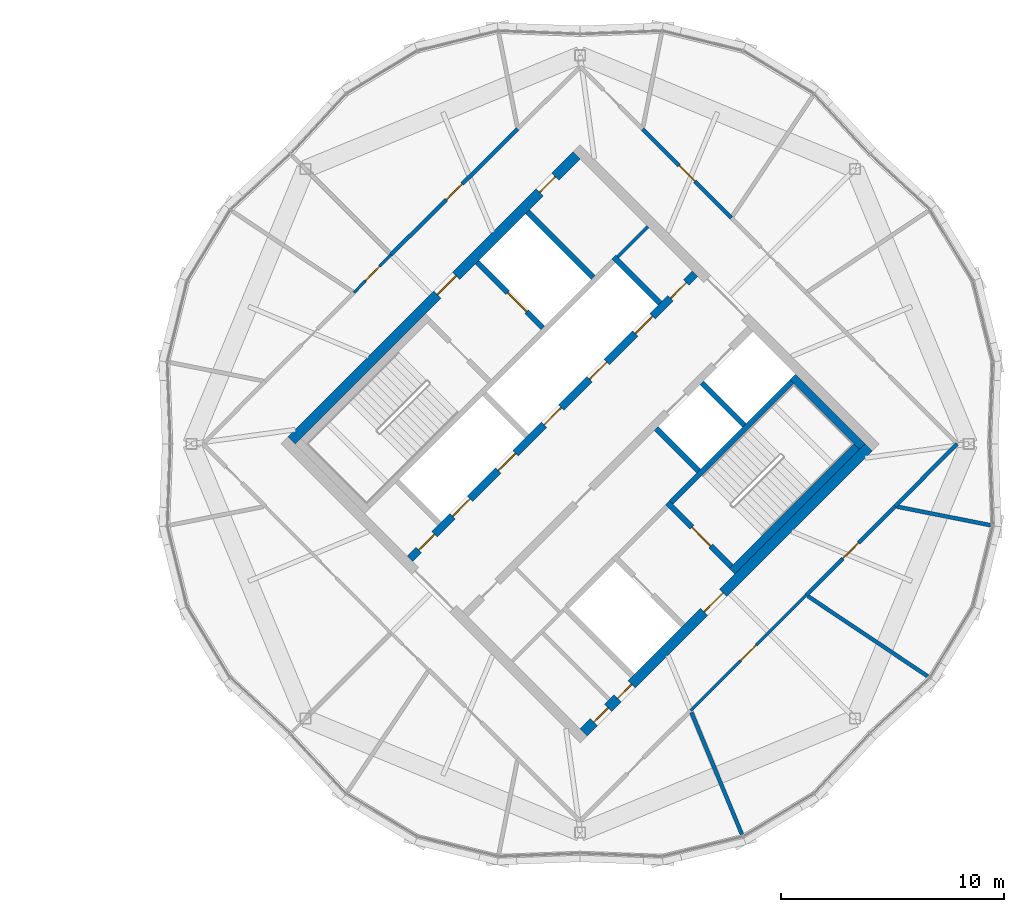
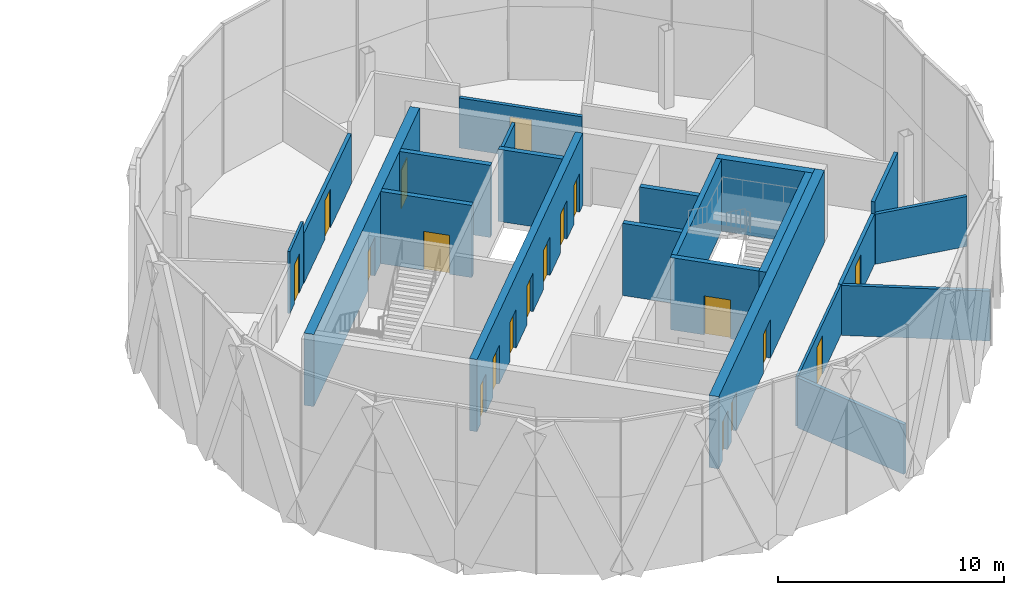
# One storey, part 18 of 22: 22 walls, 19 doors, 19 openings.
"""IFC4 building model written with IfcOpenShell, lengths in metres."""

from ifc_helpers import new_model, si_unit, direction, frame, frame_2d, origin, place, context, subcontext, project, spatial, rectangle, extrude, material, layer, layer_set, type_object, element, fill, save


model = new_model("IFC4")

# Units and contexts
model_context = context("Model", 3, precision=1e-05, world=origin(), true_north=direction((0.0, 1.0)))
body_context = subcontext(model_context, "Body", "Model", "MODEL_VIEW")
ifc_project = project(units=[si_unit("LENGTHUNIT", "METRE"), si_unit("AREAUNIT", "SQUARE_METRE"), si_unit("VOLUMEUNIT", "CUBIC_METRE"), si_unit("PLANEANGLEUNIT", "RADIAN"), si_unit("MASSUNIT", "GRAM", prefix="KILO")], contexts=[model_context])

# Site, building, storey
site_placement = place(None, origin())
site = spatial("IfcSite", under=ifc_project, at=site_placement, CompositionType="ELEMENT")
building_placement = place(site_placement, origin())
building = spatial("IfcBuilding", under=site, at=building_placement, Name="Ogive Gate Towers", CompositionType="ELEMENT")
storey_placement = place(building_placement, frame((0.0, 0.0, 285.60009765625)))
storey = spatial("IfcBuildingStorey", under=building, at=storey_placement, Name="L67", CompositionType="ELEMENT", Elevation=285.60009765625)

# Walls
ifc_material_1 = material(Name="Gypsum board acoustic partition")
ifc_layer_1 = layer(ifc_material_1, 0.175048828125)
ifc_layer_set_1 = layer_set([ifc_layer_1], Name="Acoustic partition 175")
wall_type_1 = type_object("IfcWallType", Name="Acoustic partition 175", PredefinedType="PARTITIONING", material=ifc_layer_set_1)
wall_1_placement = place(storey_placement, frame((43.27099609375, -17.553955078125, 0.0), z_axis=(0.0, 0.0, 1.0), x_axis=(-0.382677198597, 0.923882114598, 0.0)))
element("IfcWall", 1, at=wall_1_placement, inside=storey, type_object=wall_type_1, Name="Partition T2-L67-012", PredefinedType="PARTITIONING", context=body_context, shape_type="SweptSolid", body=[
    extrude(rectangle(XDim=5.94140625, YDim=0.175048828125, at=frame_2d((2.970703125, 0.0))), origin(), (0.0, 0.0, 1.0), 2.699951171875),
])
wall_2_placement = place(storey_placement, frame((51.697509765625, -10.5, 0.0), z_axis=(0.0, 0.0, 1.0), x_axis=(-0.831198479299, 0.555975798045, 0.0)))
element("IfcWall", 2, at=wall_2_placement, inside=storey, type_object=wall_type_1, Name="Partition T2-L67-013", PredefinedType="PARTITIONING", context=body_context, shape_type="SweptSolid", body=[
    extrude(rectangle(XDim=6.57763671875, YDim=0.175048828125, at=frame_2d((3.288818359375, 0.0))), origin(), (0.0, 0.0, 1.0), 2.699951171875),
])
wall_3_placement = place(storey_placement, frame((54.440185546875, -3.658203125, 0.0), z_axis=(0.0, 0.0, 1.0), x_axis=(-0.980890149708, 0.194562365851, 0.0)))
element("IfcWall", 3, at=wall_3_placement, inside=storey, type_object=wall_type_1, Name="Partition T2-L67-014", PredefinedType="PARTITIONING", context=body_context, shape_type="SweptSolid", body=[
    extrude(rectangle(XDim=4.29150390625, YDim=0.175048828125, at=frame_2d((2.145751953125, 0.0))), origin(), (0.0, 0.0, 1.0), 2.699951171875),
])

# Wall, opening, door
wall_4_placement = place(storey_placement, frame((46.15771484375, -6.79443359375, 0.0), z_axis=(0.0, 0.0, 1.0), x_axis=(0.70699854338, 0.707215002428, 0.0)))
wall_4 = element("IfcWall", 4, at=wall_4_placement, inside=storey, type_object=wall_type_1, Name="Partition T2-L67-016", PredefinedType="PARTITIONING", context=body_context, shape_type="SweptSolid", body=[
    extrude(rectangle(XDim=5.639404296875, YDim=0.175048828125, at=frame_2d((2.81982421875, 0.0))), origin(), (0.0, 0.0, 1.0), 2.699951171875),
])
opening_1_placement = place(wall_4_placement, frame((2.320068359375, 0.0, 0.0)))
opening_1 = element("IfcOpeningElement", 5, at=opening_1_placement, cuts=wall_4, Name="Opening T2-L67-D02", PredefinedType="OPENING", context=body_context, shape_type="SweptSolid", body=[
    extrude(rectangle(XDim=1.0, YDim=2.10009765625, at=frame_2d((0.5, 1.050048828125))), frame((0.0, 0.09765625, 0.0), z_axis=(0.0, -1.0, 0.0), x_axis=(1.0, 0.0, 0.0)), (0.0, 0.0, 1.0), 0.195068359375),
])
ifc_material_2 = material(Name="Timber door", Category="wood")
door_type_1 = type_object("IfcDoorType", Name="Door 1000", OperationType="NOTDEFINED", PredefinedType="DOOR", material=ifc_material_2)
door_1_placement = place(opening_1_placement, origin())
door_1 = element("IfcDoor", 6, at=door_1_placement, inside=storey, type_object=door_type_1, Name="Door T2-L67-D02", OperationType="SINGLE_SWING_RIGHT", OverallHeight=2.10009765625, OverallWidth=1.0, PredefinedType="DOOR", context=body_context, shape_type="SweptSolid", body=[
    extrude(rectangle(XDim=1.0, YDim=2.10009765625, at=frame_2d((0.5, 1.050048828125))), frame((0.0, 0.02490234375, 0.0), z_axis=(0.0, -1.0, 0.0), x_axis=(1.0, 0.0, 0.0)), (0.0, 0.0, 1.0), 0.050048828125),
])
fill(opening_1, door_1)

# Wall
wall_5_placement = place(storey_placement, frame((50.144775390625, -2.80615234375, 0.0), z_axis=(0.0, 0.0, 1.0), x_axis=(0.706027724956, 0.708184193267, 0.0)))
element("IfcWall", 7, at=wall_5_placement, inside=storey, type_object=wall_type_1, Name="Partition T2-L67-018", PredefinedType="PARTITIONING", context=body_context, shape_type="SweptSolid", body=[
    extrude(rectangle(XDim=3.96240234375, YDim=0.175048828125, at=frame_2d((1.981201171875, 0.0))), origin(), (0.0, 0.0, 1.0), 3.349853515625),
])

# Wall, opening, door
wall_6_placement = place(storey_placement, frame((42.79443359375, 10.15771484375, 0.0), z_axis=(0.0, 0.0, 1.0), x_axis=(-0.707215002428, 0.70699854338, 0.0)))
wall_6 = element("IfcWall", 8, at=wall_6_placement, inside=storey, type_object=wall_type_1, Name="Partition T2-L67-020", PredefinedType="PARTITIONING", context=body_context, shape_type="SweptSolid", body=[
    extrude(rectangle(XDim=5.639404296875, YDim=0.175048828125, at=frame_2d((2.81982421875, 0.0))), origin(), (0.0, 0.0, 1.0), 2.699951171875),
])
opening_2_placement = place(wall_6_placement, frame((2.320068359375, 0.0, 0.0)))
opening_2 = element("IfcOpeningElement", 9, at=opening_2_placement, cuts=wall_6, Name="Opening T2-L67-D05", PredefinedType="OPENING", context=body_context, shape_type="SweptSolid", body=[
    extrude(rectangle(XDim=1.0, YDim=2.10009765625, at=frame_2d((0.5, 1.050048828125))), frame((0.0, 0.09765625, 0.0), z_axis=(0.0, -1.0, 0.0), x_axis=(1.0, 0.0, 0.0)), (0.0, 0.0, 1.0), 0.195068359375),
])
door_2_placement = place(opening_2_placement, origin())
door_2 = element("IfcDoor", 10, at=door_2_placement, inside=storey, type_object=door_type_1, Name="Door T2-L67-D05", OperationType="SINGLE_SWING_RIGHT", OverallHeight=2.10009765625, OverallWidth=1.0, PredefinedType="DOOR", context=body_context, shape_type="SweptSolid", body=[
    extrude(rectangle(XDim=1.0, YDim=2.10009765625, at=frame_2d((0.5, 1.050048828125))), frame((0.0, 0.02490234375, 0.0), z_axis=(0.0, -1.0, 0.0), x_axis=(1.0, 0.0, 0.0)), (0.0, 0.0, 1.0), 0.050048828125),
])
fill(opening_2, door_2)

wall_7_placement = place(storey_placement, frame((33.19384765625, 14.144775390625, 0.0), z_axis=(0.0, 0.0, 1.0), x_axis=(-0.710099769326, -0.704101070588, 0.0)))
wall_7 = element("IfcWall", 11, at=wall_7_placement, inside=storey, type_object=wall_type_1, Name="Partition T2-L67-023", PredefinedType="PARTITIONING", context=body_context, shape_type="SweptSolid", body=[
    extrude(rectangle(XDim=8.017578125, YDim=0.175048828125, at=frame_2d((4.0087890625, 0.0))), origin(), (0.0, 0.0, 1.0), 2.699951171875),
])
opening_3_placement = place(wall_7_placement, frame((3.509033203125, 0.0, 0.0)))
opening_3 = element("IfcOpeningElement", 12, at=opening_3_placement, cuts=wall_7, Name="Opening T2-L67-D07", PredefinedType="OPENING", context=body_context, shape_type="SweptSolid", body=[
    extrude(rectangle(XDim=1.0, YDim=2.10009765625, at=frame_2d((0.5, 1.050048828125))), frame((0.0, 0.09765625, 0.0), z_axis=(0.0, -1.0, 0.0), x_axis=(1.0, 0.0, 0.0)), (0.0, 0.0, 1.0), 0.195068359375),
])
door_3_placement = place(opening_3_placement, origin())
door_3 = element("IfcDoor", 13, at=door_3_placement, inside=storey, type_object=door_type_1, Name="Door T2-L67-D07", OperationType="SINGLE_SWING_RIGHT", OverallHeight=2.10009765625, OverallWidth=1.0, PredefinedType="DOOR", context=body_context, shape_type="SweptSolid", body=[
    extrude(rectangle(XDim=1.0, YDim=2.10009765625, at=frame_2d((0.5, 1.050048828125))), frame((0.0, 0.02490234375, 0.0), z_axis=(0.0, -1.0, 0.0), x_axis=(1.0, 0.0, 0.0)), (0.0, 0.0, 1.0), 0.050048828125),
])
fill(opening_3, door_3)

# Wall, openings, doors
ifc_material_3 = material(Name="Concrete C60/75", Category="concrete")
ifc_layer_2 = layer(ifc_material_3, 0.449951171875)
ifc_layer_set_2 = layer_set([ifc_layer_2], Name="Core wall 450 mm")
wall_type_2 = type_object("IfcWallType", Name="Core wall 450 mm", PredefinedType="SHEAR", material=ifc_layer_set_2)
wall_8_placement = place(storey_placement, frame((36.1591796875, -12.957763671875, 0.0), z_axis=(0.0, 0.0, 1.0), x_axis=(0.707106781187, 0.707106781187, 0.0)))
wall_8 = element("IfcWall", 14, at=wall_8_placement, inside=storey, type_object=wall_type_2, Name="T2 L67 Core wall 450 mm", PredefinedType="SHEAR", context=body_context, shape_type="SweptSolid", body=[
    extrude(rectangle(XDim=18.099853515625, YDim=0.449951171875, at=frame_2d((9.0498046875, 0.0))), origin(), (0.0, 0.0, 1.0), 3.89990234375),
])
opening_4_placement = place(wall_8_placement, frame((7.64990234375, 0.0, 0.0)))
opening_4 = element("IfcOpeningElement", 15, at=opening_4_placement, cuts=wall_8, Name="Opening KD-T2-L67-19", PredefinedType="OPENING", context=body_context, shape_type="SweptSolid", body=[
    extrude(rectangle(XDim=1.199951171875, YDim=2.10009765625, at=frame_2d((0.60009765625, 1.050048828125))), frame((0.0, 0.23486328125, 0.0), z_axis=(0.0, -1.0, 0.0), x_axis=(1.0, 0.0, 0.0)), (0.0, 0.0, 1.0), 0.469970703125),
])
opening_5_placement = place(wall_8_placement, frame((0.64990234375, 0.0, 0.0)))
opening_5 = element("IfcOpeningElement", 16, at=opening_5_placement, cuts=wall_8, Name="Opening KD-T2-L67-21", PredefinedType="OPENING", context=body_context, shape_type="SweptSolid", body=[
    extrude(rectangle(XDim=0.89990234375, YDim=2.10009765625, at=frame_2d((0.449951171875, 1.050048828125))), frame((0.0, 0.23486328125, 0.0), z_axis=(0.0, -1.0, 0.0), x_axis=(1.0, 0.0, 0.0)), (0.0, 0.0, 1.0), 0.469970703125),
])
opening_6_placement = place(wall_8_placement, frame((2.14990234375, 0.0, 0.0)))
opening_6 = element("IfcOpeningElement", 17, at=opening_6_placement, cuts=wall_8, Name="Opening KD-T2-L67-22", PredefinedType="OPENING", context=body_context, shape_type="SweptSolid", body=[
    extrude(rectangle(XDim=0.89990234375, YDim=2.10009765625, at=frame_2d((0.449951171875, 1.050048828125))), frame((0.0, 0.23486328125, 0.0), z_axis=(0.0, -1.0, 0.0), x_axis=(1.0, 0.0, 0.0)), (0.0, 0.0, 1.0), 0.469970703125),
])
door_type_2 = type_object("IfcDoorType", Name="Core WC door 900 x 2100", OperationType="NOTDEFINED", PredefinedType="DOOR", material=ifc_material_2)
door_4_placement = place(opening_5_placement, origin())
door_4 = element("IfcDoor", 18, at=door_4_placement, inside=storey, type_object=door_type_2, Name="T2 L67 Core door", OperationType="SINGLE_SWING_RIGHT", OverallHeight=2.10009765625, OverallWidth=0.89990234375, PredefinedType="DOOR", context=body_context, shape_type="SweptSolid", body=[
    extrude(rectangle(XDim=0.89990234375, YDim=2.10009765625, at=frame_2d((0.449951171875, 1.050048828125))), frame((0.0, 0.02490234375, 0.0), z_axis=(0.0, -1.0, 0.0), x_axis=(1.0, 0.0, 0.0)), (0.0, 0.0, 1.0), 0.050048828125),
])
fill(opening_5, door_4)
door_5_placement = place(opening_6_placement, origin())
door_5 = element("IfcDoor", 19, at=door_5_placement, inside=storey, type_object=door_type_2, Name="T2 L67 Core door", OperationType="SINGLE_SWING_LEFT", OverallHeight=2.10009765625, OverallWidth=0.89990234375, PredefinedType="DOOR", context=body_context, shape_type="SweptSolid", body=[
    extrude(rectangle(XDim=0.89990234375, YDim=2.10009765625, at=frame_2d((0.449951171875, 1.050048828125))), frame((0.0, 0.02490234375, 0.0), z_axis=(0.0, -1.0, 0.0), x_axis=(1.0, 0.0, 0.0)), (0.0, 0.0, 1.0), 0.050048828125),
])
fill(opening_6, door_5)
ifc_material_4 = material(Name="Steel fire door", Category="steel")
door_type_3 = type_object("IfcDoorType", Name="Core door FD60S 1200 x 2100", OperationType="NOTDEFINED", PredefinedType="DOOR", material=ifc_material_4)
door_6_placement = place(opening_4_placement, origin())
door_6 = element("IfcDoor", 20, at=door_6_placement, inside=storey, type_object=door_type_3, Name="T2 L67 Fire-fighting lobby door", OperationType="SINGLE_SWING_RIGHT", OverallHeight=2.10009765625, OverallWidth=1.199951171875, PredefinedType="DOOR", context=body_context, shape_type="SweptSolid", body=[
    extrude(rectangle(XDim=1.199951171875, YDim=2.10009765625, at=frame_2d((0.60009765625, 1.050048828125))), frame((0.0, 0.02490234375, 0.0), z_axis=(0.0, -1.0, 0.0), x_axis=(1.0, 0.0, 0.0)), (0.0, 0.0, 1.0), 0.050048828125),
])
fill(opening_4, door_6)

wall_9_placement = place(storey_placement, frame((23.042236328125, 0.1591796875, 0.0), z_axis=(0.0, 0.0, 1.0), x_axis=(0.707106781187, 0.707106781187, 0.0)))
wall_9 = element("IfcWall", 21, at=wall_9_placement, inside=storey, type_object=wall_type_2, Name="T2 L67 Core wall 450 mm", PredefinedType="SHEAR", context=body_context, shape_type="SweptSolid", body=[
    extrude(rectangle(XDim=18.099853515625, YDim=0.449951171875, at=frame_2d((9.0498046875, 0.0))), origin(), (0.0, 0.0, 1.0), 3.89990234375),
])
opening_7_placement = place(wall_9_placement, frame((9.25, 0.0, 0.0)))
opening_7 = element("IfcOpeningElement", 22, at=opening_7_placement, cuts=wall_9, Name="Opening KD-T2-L67-18", PredefinedType="OPENING", context=body_context, shape_type="SweptSolid", body=[
    extrude(rectangle(XDim=1.199951171875, YDim=2.10009765625, at=frame_2d((0.60009765625, 1.050048828125))), frame((0.0, 0.23486328125, 0.0), z_axis=(0.0, -1.0, 0.0), x_axis=(1.0, 0.0, 0.0)), (0.0, 0.0, 1.0), 0.469970703125),
])
opening_8_placement = place(wall_9_placement, frame((15.75, 0.0, 0.0)))
opening_8 = element("IfcOpeningElement", 23, at=opening_8_placement, cuts=wall_9, Name="Opening KD-T2-L67-20", PredefinedType="OPENING", context=body_context, shape_type="SweptSolid", body=[
    extrude(rectangle(XDim=1.0, YDim=2.10009765625, at=frame_2d((0.5, 1.050048828125))), frame((0.0, 0.23486328125, 0.0), z_axis=(0.0, -1.0, 0.0), x_axis=(1.0, 0.0, 0.0)), (0.0, 0.0, 1.0), 0.469970703125),
])
door_type_4 = type_object("IfcDoorType", Name="Accessible WC door 1000 x 2100", OperationType="NOTDEFINED", PredefinedType="DOOR", material=ifc_material_2)
door_7_placement = place(opening_8_placement, origin())
door_7 = element("IfcDoor", 24, at=door_7_placement, inside=storey, type_object=door_type_4, Name="T2 L67 Core door", OperationType="SINGLE_SWING_LEFT", OverallHeight=2.10009765625, OverallWidth=1.0, PredefinedType="DOOR", context=body_context, shape_type="SweptSolid", body=[
    extrude(rectangle(XDim=1.0, YDim=2.10009765625, at=frame_2d((0.5, 1.050048828125))), frame((0.0, 0.02490234375, 0.0), z_axis=(0.0, -1.0, 0.0), x_axis=(1.0, 0.0, 0.0)), (0.0, 0.0, 1.0), 0.050048828125),
])
fill(opening_8, door_7)
door_8_placement = place(opening_7_placement, origin())
door_8 = element("IfcDoor", 25, at=door_8_placement, inside=storey, type_object=door_type_3, Name="T2 L67 Fire-fighting lobby door", OperationType="SINGLE_SWING_LEFT", OverallHeight=2.10009765625, OverallWidth=1.199951171875, PredefinedType="DOOR", context=body_context, shape_type="SweptSolid", body=[
    extrude(rectangle(XDim=1.199951171875, YDim=2.10009765625, at=frame_2d((0.60009765625, 1.050048828125))), frame((0.0, 0.02490234375, 0.0), z_axis=(0.0, -1.0, 0.0), x_axis=(1.0, 0.0, 0.0)), (0.0, 0.0, 1.0), 0.050048828125),
])
fill(opening_7, door_8)

# Wall, opening, door
ifc_material_5 = material(Name="Gypsum board partition")
ifc_layer_3 = layer(ifc_material_5, 0.125)
ifc_layer_set_3 = layer_set([ifc_layer_3], Name="Partition 125")
wall_type_3 = type_object("IfcWallType", Name="Partition 125", PredefinedType="PARTITIONING", material=ifc_layer_set_3)
wall_10_placement = place(storey_placement, frame((40.9638671875, -11.98388671875, 0.0), z_axis=(0.0, 0.0, 1.0), x_axis=(0.7074059871, 0.706807448613, 0.0)))
wall_10 = element("IfcWall", 26, at=wall_10_placement, inside=storey, type_object=wall_type_3, Name="Partition T2-L67-015", PredefinedType="PARTITIONING", context=body_context, shape_type="SweptSolid", body=[
    extrude(rectangle(XDim=7.342041015625, YDim=0.125, at=frame_2d((3.6708984375, 0.0))), origin(), (0.0, 0.0, 1.0), 2.699951171875),
])
opening_9_placement = place(wall_10_placement, frame((3.1708984375, 0.0, 0.0)))
opening_9 = element("IfcOpeningElement", 27, at=opening_9_placement, cuts=wall_10, Name="Opening T2-L67-D01", PredefinedType="OPENING", context=body_context, shape_type="SweptSolid", body=[
    extrude(rectangle(XDim=1.0, YDim=2.10009765625, at=frame_2d((0.5, 1.050048828125))), frame((0.0, 0.072509765625, 0.0), z_axis=(0.0, -1.0, 0.0), x_axis=(1.0, 0.0, 0.0)), (0.0, 0.0, 1.0), 0.14501953125),
])
door_9_placement = place(opening_9_placement, origin())
door_9 = element("IfcDoor", 28, at=door_9_placement, inside=storey, type_object=door_type_1, Name="Door T2-L67-D01", OperationType="SINGLE_SWING_LEFT", OverallHeight=2.10009765625, OverallWidth=1.0, PredefinedType="DOOR", context=body_context, shape_type="SweptSolid", body=[
    extrude(rectangle(XDim=1.0, YDim=2.10009765625, at=frame_2d((0.5, 1.050048828125))), frame((0.0, 0.02490234375, 0.0), z_axis=(0.0, -1.0, 0.0), x_axis=(1.0, 0.0, 0.0)), (0.0, 0.0, 1.0), 0.050048828125),
])
fill(opening_9, door_9)

wall_11_placement = place(storey_placement, frame((27.50048828125, 8.49951171875, 0.0), z_axis=(0.0, 0.0, 1.0), x_axis=(-0.697183924464, -0.716892303954, 0.0)))
wall_11 = element("IfcWall", 29, at=wall_11_placement, inside=storey, type_object=wall_type_3, Name="Partition T2-L67-024", PredefinedType="PARTITIONING", context=body_context, shape_type="SweptSolid", body=[
    extrude(rectangle(XDim=2.37841796875, YDim=0.125, at=frame_2d((1.189208984375, 0.0))), origin(), (0.0, 0.0, 1.0), 3.349853515625),
])
opening_10_placement = place(wall_11_placement, frame((0.739013671875, 0.0, 0.0)))
opening_10 = element("IfcOpeningElement", 30, at=opening_10_placement, cuts=wall_11, Name="Opening T2-L67-D08", PredefinedType="OPENING", context=body_context, shape_type="SweptSolid", body=[
    extrude(rectangle(XDim=0.89990234375, YDim=2.10009765625, at=frame_2d((0.449951171875, 1.050048828125))), frame((0.0, 0.072509765625, 0.0), z_axis=(0.0, -1.0, 0.0), x_axis=(1.0, 0.0, 0.0)), (0.0, 0.0, 1.0), 0.14501953125),
])
door_type_5 = type_object("IfcDoorType", Name="Door 900", OperationType="NOTDEFINED", PredefinedType="DOOR", material=ifc_material_2)
door_10_placement = place(opening_10_placement, origin())
door_10 = element("IfcDoor", 31, at=door_10_placement, inside=storey, type_object=door_type_5, Name="Door T2-L67-D08", OperationType="SINGLE_SWING_LEFT", OverallHeight=2.10009765625, OverallWidth=0.89990234375, PredefinedType="DOOR", context=body_context, shape_type="SweptSolid", body=[
    extrude(rectangle(XDim=0.89990234375, YDim=2.10009765625, at=frame_2d((0.449951171875, 1.050048828125))), frame((0.0, 0.02490234375, 0.0), z_axis=(0.0, -1.0, 0.0), x_axis=(1.0, 0.0, 0.0)), (0.0, 0.0, 1.0), 0.050048828125),
])
fill(opening_10, door_10)

# Walls
ifc_layer_4 = layer(ifc_material_5, 0.14990234375)
ifc_layer_set_4 = layer_set([ifc_layer_4], Name="Room partition 150 mm")
wall_type_4 = type_object("IfcWallType", Name="Room partition 150 mm", PredefinedType="PARTITIONING", material=ifc_layer_set_4)
wall_12_placement = place(storey_placement, frame((37.679443359375, 8.39697265625, 0.0), z_axis=(0.0, 0.0, 1.0), x_axis=(0.707106781187, 0.707106781187, 0.0)))
element("IfcWall", 32, at=wall_12_placement, inside=storey, type_object=wall_type_4, Name="T2 L67 Room partition 150 mm", PredefinedType="PARTITIONING", context=body_context, shape_type="SweptSolid", body=[
    extrude(rectangle(XDim=1.9248046875, YDim=0.14990234375, at=frame_2d((0.96240234375, 0.0))), origin(), (0.0, 0.0, 1.0), 3.89990234375),
])
ifc_layer_5 = layer(ifc_material_3, 0.25)
ifc_layer_set_5 = layer_set([ifc_layer_5], Name="Shaft wall 250 mm")
wall_type_5 = type_object("IfcWallType", Name="Shaft wall 250 mm", PredefinedType="SHEAR", material=ifc_layer_set_5)
wall_13_placement = place(storey_placement, frame((40.08349609375, -2.634033203125, 0.0), z_axis=(0.0, 0.0, 1.0), x_axis=(0.707090876314, 0.707122685701, 0.0)))
element("IfcWall", 33, at=wall_13_placement, inside=storey, type_object=wall_type_5, Name="T2 L67 Shaft wall 250 mm", PredefinedType="SHEAR", context=body_context, shape_type="SweptSolid", body=[
    extrude(rectangle(XDim=7.675048828125, YDim=0.25, at=frame_2d((3.83740234375, 0.0))), origin(), (0.0, 0.0, 1.0), 3.89990234375),
])

# Wall, opening, door
wall_14_placement = place(storey_placement, frame((42.7880859375, -5.515380859375, 0.0), z_axis=(0.0, 0.0, 1.0), x_axis=(-0.707106781187, 0.707106781187, 0.0)))
wall_14 = element("IfcWall", 34, at=wall_14_placement, inside=storey, type_object=wall_type_5, Name="T2 L67 Shaft wall 250 mm", PredefinedType="SHEAR", context=body_context, shape_type="SweptSolid", body=[
    extrude(rectangle(XDim=4.050048828125, YDim=0.25, at=frame_2d((2.02490234375, 0.0))), origin(), (0.0, 0.0, 1.0), 3.89990234375),
])
opening_11_placement = place(wall_14_placement, frame((1.300048828125, 0.0, 0.0)))
opening_11 = element("IfcOpeningElement", 35, at=opening_11_placement, cuts=wall_14, Name="Opening KD-T2-L67-17", PredefinedType="OPENING", context=body_context, shape_type="SweptSolid", body=[
    extrude(rectangle(XDim=1.199951171875, YDim=2.10009765625, at=frame_2d((0.60009765625, 1.050048828125))), frame((0.0, 0.135009765625, 0.0), z_axis=(0.0, -1.0, 0.0), x_axis=(1.0, 0.0, 0.0)), (0.0, 0.0, 1.0), 0.27001953125),
])
door_11_placement = place(opening_11_placement, origin())
door_11 = element("IfcDoor", 36, at=door_11_placement, inside=storey, type_object=door_type_3, Name="T2 L67 Stair door", OperationType="SINGLE_SWING_RIGHT", OverallHeight=2.10009765625, OverallWidth=1.199951171875, PredefinedType="DOOR", context=body_context, shape_type="SweptSolid", body=[
    extrude(rectangle(XDim=1.199951171875, YDim=2.10009765625, at=frame_2d((0.60009765625, 1.050048828125))), frame((0.0, 0.02490234375, 0.0), z_axis=(0.0, -1.0, 0.0), x_axis=(1.0, 0.0, 0.0)), (0.0, 0.0, 1.0), 0.050048828125),
])
fill(opening_11, door_11)

wall_15_placement = place(storey_placement, frame((34.320556640625, 5.21484375, 0.0), z_axis=(0.0, 0.0, 1.0), x_axis=(-0.707106781187, 0.707106781187, 0.0)))
wall_15 = element("IfcWall", 37, at=wall_15_placement, inside=storey, type_object=wall_type_5, Name="T2 L67 Shaft wall 250 mm", PredefinedType="SHEAR", context=body_context, shape_type="SweptSolid", body=[
    extrude(rectangle(XDim=4.175048828125, YDim=0.25, at=frame_2d((2.08740234375, 0.0))), origin(), (0.0, 0.0, 1.0), 3.89990234375),
])
opening_12_placement = place(wall_15_placement, frame((1.02490234375, 0.0, 0.0)))
opening_12 = element("IfcOpeningElement", 38, at=opening_12_placement, cuts=wall_15, Name="Opening LD-T2-L67-12", PredefinedType="OPENING", context=body_context, shape_type="SweptSolid", body=[
    extrude(rectangle(XDim=1.199951171875, YDim=2.10009765625, at=frame_2d((0.60009765625, 1.050048828125))), frame((0.0, 0.135009765625, 0.0), z_axis=(0.0, -1.0, 0.0), x_axis=(1.0, 0.0, 0.0)), (0.0, 0.0, 1.0), 0.27001953125),
])
ifc_material_6 = material(Name="Stainless steel landing door", Category="steel")
door_type_6 = type_object("IfcDoorType", Name="Landing door 1200 x 2100", OperationType="SLIDING_TO_LEFT", PredefinedType="DOOR", material=ifc_material_6)
door_12_placement = place(opening_12_placement, origin())
door_12 = element("IfcDoor", 39, at=door_12_placement, inside=storey, type_object=door_type_6, Name="T2 L67 Lift landing door FF1", OperationType="SLIDING_TO_LEFT", OverallHeight=2.10009765625, OverallWidth=1.199951171875, PredefinedType="DOOR", context=body_context, shape_type="SweptSolid", body=[
    extrude(rectangle(XDim=1.199951171875, YDim=2.10009765625, at=frame_2d((0.60009765625, 1.050048828125))), frame((0.0, 0.02490234375, 0.0), z_axis=(0.0, -1.0, 0.0), x_axis=(1.0, 0.0, 0.0)), (0.0, 0.0, 1.0), 0.050048828125),
])
fill(opening_12, door_12)

# Walls
wall_16_placement = place(storey_placement, frame((41.321044921875, -1.2197265625, 0.0), z_axis=(0.0, 0.0, 1.0), x_axis=(-0.707106781187, 0.707106781187, 0.0)))
element("IfcWall", 40, at=wall_16_placement, inside=storey, type_object=wall_type_5, Name="T2 L67 Shaft wall 250 mm", PredefinedType="SHEAR", context=body_context, shape_type="SweptSolid", body=[
    extrude(rectangle(XDim=2.699951171875, YDim=0.25, at=frame_2d((1.35009765625, 0.0))), origin(), (0.0, 0.0, 1.0), 3.89990234375),
])
wall_17_placement = place(storey_placement, frame((36.58349609375, 7.477783203125, 0.0), z_axis=(0.0, 0.0, 1.0), x_axis=(-0.707165256008, 0.707048301529, 0.0)))
element("IfcWall", 41, at=wall_17_placement, inside=storey, type_object=wall_type_5, Name="T2 L67 Shaft wall 250 mm", PredefinedType="SHEAR", context=body_context, shape_type="SweptSolid", body=[
    extrude(rectangle(XDim=4.175048828125, YDim=0.25, at=frame_2d((2.08740234375, 0.0))), origin(), (0.0, 0.0, 1.0), 3.89990234375),
])
wall_18_placement = place(storey_placement, frame((43.37158203125, 0.830810546875, 0.0), z_axis=(0.0, 0.0, 1.0), x_axis=(-0.707106781187, 0.707106781187, 0.0)))
element("IfcWall", 42, at=wall_18_placement, inside=storey, type_object=wall_type_5, Name="T2 L67 Shaft wall 250 mm", PredefinedType="SHEAR", context=body_context, shape_type="SweptSolid", body=[
    extrude(rectangle(XDim=2.699951171875, YDim=0.25, at=frame_2d((1.35009765625, 0.0))), origin(), (0.0, 0.0, 1.0), 3.89990234375),
])
wall_19_placement = place(storey_placement, frame((39.588623046875, 6.310791015625, 0.0), z_axis=(0.0, 0.0, 1.0), x_axis=(-0.707065402085, 0.707148157867, 0.0)))
element("IfcWall", 43, at=wall_19_placement, inside=storey, type_object=wall_type_5, Name="T2 L67 Shaft wall 250 mm", PredefinedType="SHEAR", context=body_context, shape_type="SweptSolid", body=[
    extrude(rectangle(XDim=2.9501953125, YDim=0.25, at=frame_2d((1.47509765625, 0.0))), origin(), (0.0, 0.0, 1.0), 3.89990234375),
])

# Wall, openings, doors
ifc_layer_6 = layer(ifc_material_3, 0.35009765625)
ifc_layer_set_6 = layer_set([ifc_layer_6], Name="Spine wall 350 mm")
wall_type_6 = type_object("IfcWallType", Name="Spine wall 350 mm", PredefinedType="SHEAR", material=ifc_layer_set_6)
wall_20_placement = place(storey_placement, frame((28.36328125, -5.161865234375, 0.0), z_axis=(0.0, 0.0, 1.0), x_axis=(0.707106781187, 0.707106781187, 0.0)))
wall_20 = element("IfcWall", 44, at=wall_20_placement, inside=storey, type_object=wall_type_6, Name="T2 L67 Spine wall 350 mm", PredefinedType="SHEAR", context=body_context, shape_type="SweptSolid", body=[
    extrude(rectangle(XDim=18.099853515625, YDim=0.35009765625, at=frame_2d((9.0498046875, 0.0))), origin(), (0.0, 0.0, 1.0), 3.89990234375),
])
opening_13_placement = place(wall_20_placement, frame((0.550048828125, 0.0, 0.0)))
opening_13 = element("IfcOpeningElement", 45, at=opening_13_placement, cuts=wall_20, Name="Opening KD-T2-L67-03", PredefinedType="OPENING", context=body_context, shape_type="SweptSolid", body=[
    extrude(rectangle(XDim=1.0, YDim=2.10009765625, at=frame_2d((0.5, 1.050048828125))), frame((0.0, 0.18505859375, 0.0), z_axis=(0.0, -1.0, 0.0), x_axis=(1.0, 0.0, 0.0)), (0.0, 0.0, 1.0), 0.3701171875),
])
opening_14_placement = place(wall_20_placement, frame((2.699951171875, 0.0, 0.0)))
opening_14 = element("IfcOpeningElement", 46, at=opening_14_placement, cuts=wall_20, Name="Opening LD-T2-L67-04", PredefinedType="OPENING", context=body_context, shape_type="SweptSolid", body=[
    extrude(rectangle(XDim=1.10009765625, YDim=2.10009765625, at=frame_2d((0.550048828125, 1.050048828125))), frame((0.0, 0.18505859375, 0.0), z_axis=(0.0, -1.0, 0.0), x_axis=(1.0, 0.0, 0.0)), (0.0, 0.0, 1.0), 0.3701171875),
])
opening_15_placement = place(wall_20_placement, frame((5.60009765625, 0.0, 0.0)))
opening_15 = element("IfcOpeningElement", 47, at=opening_15_placement, cuts=wall_20, Name="Opening LD-T2-L67-05", PredefinedType="OPENING", context=body_context, shape_type="SweptSolid", body=[
    extrude(rectangle(XDim=1.10009765625, YDim=2.10009765625, at=frame_2d((0.550048828125, 1.050048828125))), frame((0.0, 0.18505859375, 0.0), z_axis=(0.0, -1.0, 0.0), x_axis=(1.0, 0.0, 0.0)), (0.0, 0.0, 1.0), 0.3701171875),
])
opening_16_placement = place(wall_20_placement, frame((8.5, 0.0, 0.0)))
opening_16 = element("IfcOpeningElement", 48, at=opening_16_placement, cuts=wall_20, Name="Opening LD-T2-L67-06", PredefinedType="OPENING", context=body_context, shape_type="SweptSolid", body=[
    extrude(rectangle(XDim=1.10009765625, YDim=2.10009765625, at=frame_2d((0.550048828125, 1.050048828125))), frame((0.0, 0.18505859375, 0.0), z_axis=(0.0, -1.0, 0.0), x_axis=(1.0, 0.0, 0.0)), (0.0, 0.0, 1.0), 0.3701171875),
])
opening_17_placement = place(wall_20_placement, frame((11.39990234375, 0.0, 0.0)))
opening_17 = element("IfcOpeningElement", 49, at=opening_17_placement, cuts=wall_20, Name="Opening LD-T2-L67-07", PredefinedType="OPENING", context=body_context, shape_type="SweptSolid", body=[
    extrude(rectangle(XDim=1.10009765625, YDim=2.10009765625, at=frame_2d((0.550048828125, 1.050048828125))), frame((0.0, 0.18505859375, 0.0), z_axis=(0.0, -1.0, 0.0), x_axis=(1.0, 0.0, 0.0)), (0.0, 0.0, 1.0), 0.3701171875),
])
opening_18_placement = place(wall_20_placement, frame((14.300048828125, 0.0, 0.0)))
opening_18 = element("IfcOpeningElement", 50, at=opening_18_placement, cuts=wall_20, Name="Opening LD-T2-L67-08", PredefinedType="OPENING", context=body_context, shape_type="SweptSolid", body=[
    extrude(rectangle(XDim=1.10009765625, YDim=2.10009765625, at=frame_2d((0.550048828125, 1.050048828125))), frame((0.0, 0.18505859375, 0.0), z_axis=(0.0, -1.0, 0.0), x_axis=(1.0, 0.0, 0.0)), (0.0, 0.0, 1.0), 0.3701171875),
])
opening_19_placement = place(wall_20_placement, frame((16.550048828125, 0.0, 0.0)))
opening_19 = element("IfcOpeningElement", 51, at=opening_19_placement, cuts=wall_20, Name="Opening KD-T2-L67-09", PredefinedType="OPENING", context=body_context, shape_type="SweptSolid", body=[
    extrude(rectangle(XDim=1.0, YDim=2.10009765625, at=frame_2d((0.5, 1.050048828125))), frame((0.0, 0.18505859375, 0.0), z_axis=(0.0, -1.0, 0.0), x_axis=(1.0, 0.0, 0.0)), (0.0, 0.0, 1.0), 0.3701171875),
])
door_type_7 = type_object("IfcDoorType", Name="Core door FD60S 1000 x 2100", OperationType="NOTDEFINED", PredefinedType="DOOR", material=ifc_material_4)
door_13_placement = place(opening_13_placement, origin())
door_13 = element("IfcDoor", 52, at=door_13_placement, inside=storey, type_object=door_type_7, Name="T2 L67 Core door", OperationType="SINGLE_SWING_RIGHT", OverallHeight=2.10009765625, OverallWidth=1.0, PredefinedType="DOOR", context=body_context, shape_type="SweptSolid", body=[
    extrude(rectangle(XDim=1.0, YDim=2.10009765625, at=frame_2d((0.5, 1.050048828125))), frame((0.0, 0.02490234375, 0.0), z_axis=(0.0, -1.0, 0.0), x_axis=(1.0, 0.0, 0.0)), (0.0, 0.0, 1.0), 0.050048828125),
])
fill(opening_13, door_13)
door_14_placement = place(opening_19_placement, origin())
door_14 = element("IfcDoor", 53, at=door_14_placement, inside=storey, type_object=door_type_7, Name="T2 L67 Core door", OperationType="SINGLE_SWING_RIGHT", OverallHeight=2.10009765625, OverallWidth=1.0, PredefinedType="DOOR", context=body_context, shape_type="SweptSolid", body=[
    extrude(rectangle(XDim=1.0, YDim=2.10009765625, at=frame_2d((0.5, 1.050048828125))), frame((0.0, 0.02490234375, 0.0), z_axis=(0.0, -1.0, 0.0), x_axis=(1.0, 0.0, 0.0)), (0.0, 0.0, 1.0), 0.050048828125),
])
fill(opening_19, door_14)
door_type_8 = type_object("IfcDoorType", Name="Landing door 1100 x 2100", OperationType="SLIDING_TO_LEFT", PredefinedType="DOOR", material=ifc_material_6)
door_15_placement = place(opening_14_placement, origin())
door_15 = element("IfcDoor", 54, at=door_15_placement, inside=storey, type_object=door_type_8, Name="T2 L67 Lift landing door B1", OperationType="SLIDING_TO_LEFT", OverallHeight=2.10009765625, OverallWidth=1.10009765625, PredefinedType="DOOR", context=body_context, shape_type="SweptSolid", body=[
    extrude(rectangle(XDim=1.10009765625, YDim=2.10009765625, at=frame_2d((0.550048828125, 1.050048828125))), frame((0.0, 0.02490234375, 0.0), z_axis=(0.0, -1.0, 0.0), x_axis=(1.0, 0.0, 0.0)), (0.0, 0.0, 1.0), 0.050048828125),
])
fill(opening_14, door_15)
door_16_placement = place(opening_15_placement, origin())
door_16 = element("IfcDoor", 55, at=door_16_placement, inside=storey, type_object=door_type_8, Name="T2 L67 Lift landing door B2", OperationType="SLIDING_TO_LEFT", OverallHeight=2.10009765625, OverallWidth=1.10009765625, PredefinedType="DOOR", context=body_context, shape_type="SweptSolid", body=[
    extrude(rectangle(XDim=1.10009765625, YDim=2.10009765625, at=frame_2d((0.550048828125, 1.050048828125))), frame((0.0, 0.02490234375, 0.0), z_axis=(0.0, -1.0, 0.0), x_axis=(1.0, 0.0, 0.0)), (0.0, 0.0, 1.0), 0.050048828125),
])
fill(opening_15, door_16)
door_17_placement = place(opening_16_placement, origin())
door_17 = element("IfcDoor", 56, at=door_17_placement, inside=storey, type_object=door_type_8, Name="T2 L67 Lift landing door B3", OperationType="SLIDING_TO_LEFT", OverallHeight=2.10009765625, OverallWidth=1.10009765625, PredefinedType="DOOR", context=body_context, shape_type="SweptSolid", body=[
    extrude(rectangle(XDim=1.10009765625, YDim=2.10009765625, at=frame_2d((0.550048828125, 1.050048828125))), frame((0.0, 0.02490234375, 0.0), z_axis=(0.0, -1.0, 0.0), x_axis=(1.0, 0.0, 0.0)), (0.0, 0.0, 1.0), 0.050048828125),
])
fill(opening_16, door_17)
door_18_placement = place(opening_17_placement, origin())
door_18 = element("IfcDoor", 57, at=door_18_placement, inside=storey, type_object=door_type_8, Name="T2 L67 Lift landing door B4", OperationType="SLIDING_TO_LEFT", OverallHeight=2.10009765625, OverallWidth=1.10009765625, PredefinedType="DOOR", context=body_context, shape_type="SweptSolid", body=[
    extrude(rectangle(XDim=1.10009765625, YDim=2.10009765625, at=frame_2d((0.550048828125, 1.050048828125))), frame((0.0, 0.02490234375, 0.0), z_axis=(0.0, -1.0, 0.0), x_axis=(1.0, 0.0, 0.0)), (0.0, 0.0, 1.0), 0.050048828125),
])
fill(opening_17, door_18)
door_19_placement = place(opening_18_placement, origin())
door_19 = element("IfcDoor", 58, at=door_19_placement, inside=storey, type_object=door_type_8, Name="T2 L67 Lift landing door B5", OperationType="SLIDING_TO_LEFT", OverallHeight=2.10009765625, OverallWidth=1.10009765625, PredefinedType="DOOR", context=body_context, shape_type="SweptSolid", body=[
    extrude(rectangle(XDim=1.10009765625, YDim=2.10009765625, at=frame_2d((0.550048828125, 1.050048828125))), frame((0.0, 0.02490234375, 0.0), z_axis=(0.0, -1.0, 0.0), x_axis=(1.0, 0.0, 0.0)), (0.0, 0.0, 1.0), 0.050048828125),
])
fill(opening_18, door_19)

# Walls
ifc_layer_7 = layer(ifc_material_3, 0.35009765625)
ifc_layer_set_7 = layer_set([ifc_layer_7], Name="Stair wall 350 mm")
wall_type_7 = type_object("IfcWallType", Name="Stair wall 350 mm", PredefinedType="SHEAR", material=ifc_layer_set_7)
wall_21_placement = place(storey_placement, frame((42.823486328125, -5.7275390625, 0.0), z_axis=(0.0, 0.0, 1.0), x_axis=(0.707122184046, 0.707091377991, 0.0)))
element("IfcWall", 59, at=wall_21_placement, inside=storey, type_object=wall_type_7, Name="T2 L67 Stair wall 350 mm", PredefinedType="SHEAR", context=body_context, shape_type="SweptSolid", body=[
    extrude(rectangle(XDim=7.925048828125, YDim=0.35009765625, at=frame_2d((3.96240234375, 0.0))), origin(), (0.0, 0.0, 1.0), 3.89990234375),
])
wall_22_placement = place(storey_placement, frame((48.6748046875, -0.123779296875, 0.0), z_axis=(0.0, 0.0, 1.0), x_axis=(-0.707106781187, 0.707106781187, 0.0)))
element("IfcWall", 60, at=wall_22_placement, inside=storey, type_object=wall_type_7, Name="T2 L67 Stair wall 350 mm", PredefinedType="SHEAR", context=body_context, shape_type="SweptSolid", body=[
    extrude(rectangle(XDim=4.425048828125, YDim=0.35009765625, at=frame_2d((2.21240234375, 0.0))), origin(), (0.0, 0.0, 1.0), 3.89990234375),
])

save(model, "model.ifc")
